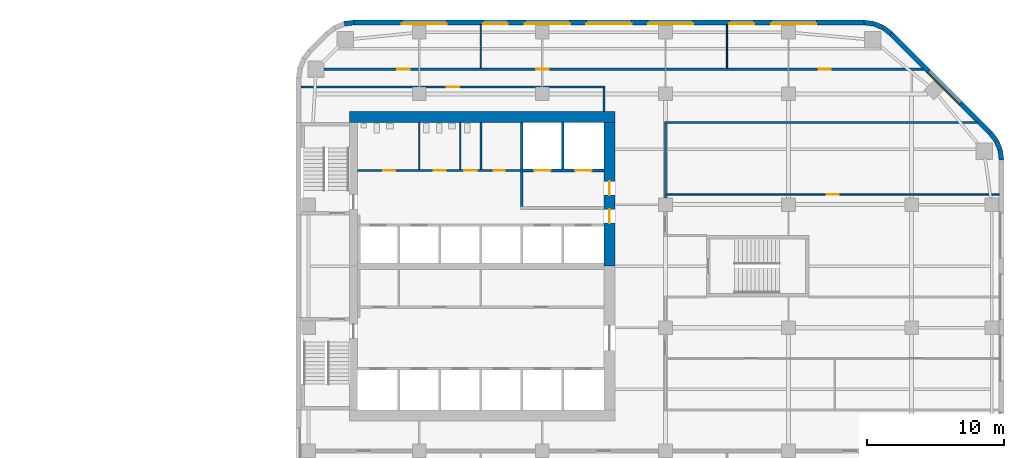
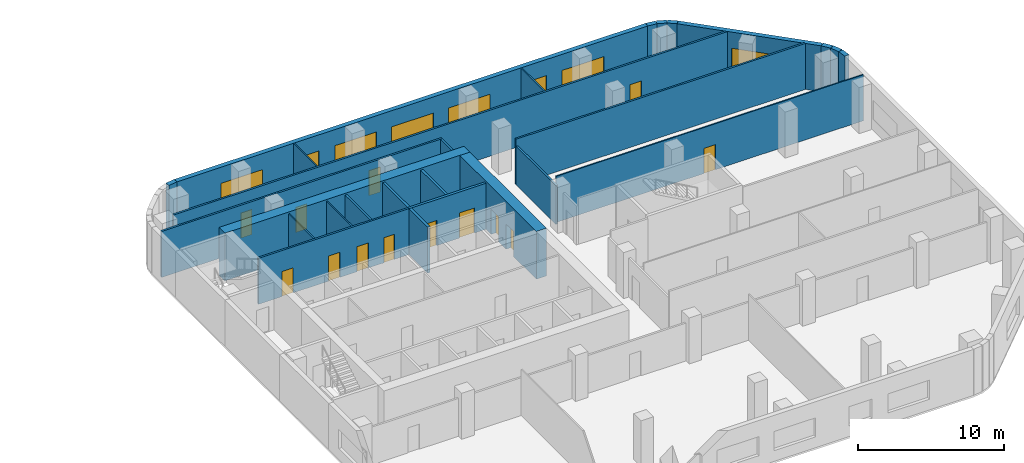
# One storey, part 10 of 14: 27 walls, 13 doors, 8 windows, 21 openings.
"""IFC4 building model written with IfcOpenShell, lengths in metres."""

from ifc_helpers import new_model, si_unit, direction, frame, frame_2d, origin, place, context, subcontext, project, spatial, rectangle, extrude, material, layer, layer_set, type_object, element, fill, save


model = new_model("IFC4")

# Units and contexts
model_context = context("Model", 3, precision=1e-05, world=origin(), true_north=direction((0.0, 1.0)))
body_context = subcontext(model_context, "Body", "Model", "MODEL_VIEW")
ifc_project = project(units=[si_unit("LENGTHUNIT", "METRE"), si_unit("AREAUNIT", "SQUARE_METRE"), si_unit("VOLUMEUNIT", "CUBIC_METRE"), si_unit("PLANEANGLEUNIT", "RADIAN"), si_unit("MASSUNIT", "GRAM", prefix="KILO")], contexts=[model_context])

# Site, building, storey
site_placement = place(None, origin())
site = spatial("IfcSite", under=ifc_project, at=site_placement, CompositionType="ELEMENT")
building_placement = place(site_placement, origin())
building = spatial("IfcBuilding", under=site, at=building_placement, Name="Cinnabar Reach Civic Tower", CompositionType="ELEMENT")
storey_placement = place(building_placement, frame((0.0, 0.0, 132.0)))
storey = spatial("IfcBuildingStorey", under=building, at=storey_placement, Name="L31", CompositionType="ELEMENT", Elevation=132.0)

# Walls
ifc_material_1 = material(Name="Facing brick with insulated backing", Category="masonry")
ifc_layer_1 = layer(ifc_material_1, 0.36)
ifc_layer_set_1 = layer_set([ifc_layer_1], Name="Brick corner wall")
wall_type_1 = type_object("IfcWallType", Name="Brick corner wall", PredefinedType="STANDARD", material=ifc_layer_set_1)
for number, where, z_axis, x_axis, name in (
    (1, (51.567, 39.2686, 0.0), (0.0, 0.0, 1.0), (-0.13055608231, 0.99144092581, 0.0), "Brick corner wall"),
    (2, (51.4681, 39.9973, 0.0), (0.0, 0.0, 1.0), (-0.382702709855, 0.923871547278, 0.0), "Brick corner wall"),
):
    element("IfcWall", number, at=place(storey_placement, frame(where, z_axis=z_axis, x_axis=x_axis)), inside=storey, type_object=wall_type_1, Name=name, PredefinedType="STANDARD", context=body_context, shape_type="SweptSolid", body=[
        extrude(rectangle(XDim=0.7131, YDim=0.36, at=frame_2d((0.3565, 0.0))), origin(), (0.0, 0.0, 1.0), 3.85),
    ])
for number, where, z_axis, x_axis, name in (
    (3, (51.184, 40.6755, 0.0), (0.0, 0.0, 1.0), (-0.608802368033, 0.793321924995, 0.0), "Brick corner wall"),
    (4, (43.4913, 48.4998, 0.0), (0.0, 0.0, 1.0), (-0.793321924995, 0.608802368033, 0.0), "Brick corner wall"),
):
    element("IfcWall", number, at=place(storey_placement, frame(where, z_axis=z_axis, x_axis=x_axis)), inside=storey, type_object=wall_type_1, Name=name, PredefinedType="STANDARD", context=body_context, shape_type="SweptSolid", body=[
        extrude(rectangle(XDim=0.7132, YDim=0.36, at=frame_2d((0.3566, 0.0))), origin(), (0.0, 0.0, 1.0), 3.85),
    ])
for number, where, z_axis, x_axis, name in (
    (5, (42.9061, 48.9452, 0.0), (0.0, 0.0, 1.0), (-0.923871547278, 0.382702709855, 0.0), "Brick corner wall"),
    (6, (42.2256, 49.2239, 0.0), (0.0, 0.0, 1.0), (-0.99144092581, 0.13055608231, 0.0), "Brick corner wall"),
    (7, (4.2314, 49.317, 0.0), (0.0, 0.0, 1.0), (-0.99144092581, -0.13055608231, 0.0), "Brick corner wall"),
):
    element("IfcWall", number, at=place(storey_placement, frame(where, z_axis=z_axis, x_axis=x_axis)), inside=storey, type_object=wall_type_1, Name=name, PredefinedType="STANDARD", context=body_context, shape_type="SweptSolid", body=[
        extrude(rectangle(XDim=0.7131, YDim=0.36, at=frame_2d((0.3565, 0.0))), origin(), (0.0, 0.0, 1.0), 3.85),
    ])

# Wall, opening, window
ifc_layer_2 = layer(ifc_material_1, 0.36)
ifc_layer_set_2 = layer_set([ifc_layer_2], Name="Brick pier and spandrel wall")
wall_type_2 = type_object("IfcWallType", Name="Brick pier and spandrel wall", PredefinedType="STANDARD", material=ifc_layer_set_2)
wall_1_placement = place(storey_placement, frame((50.744, 41.2514, 0.0), z_axis=(0.0, 0.0, 1.0), x_axis=(-0.707106781187, 0.707106781187, 0.0)))
wall_1 = element("IfcWall", 8, at=wall_1_placement, inside=storey, type_object=wall_type_2, Name="Brick facade wall", PredefinedType="STANDARD", context=body_context, shape_type="SweptSolid", body=[
    extrude(rectangle(XDim=10.2426, YDim=0.36, at=frame_2d((5.1213, 0.0))), origin(), (0.0, 0.0, 1.0), 3.85),
])
opening_1_placement = place(wall_1_placement, frame((3.0713, 0.0, 0.9)))
opening_1 = element("IfcOpeningElement", 9, at=opening_1_placement, cuts=wall_1, Name="Opening W1667", PredefinedType="OPENING", context=body_context, shape_type="SweptSolid", body=[
    extrude(rectangle(XDim=3.3, YDim=1.6, at=frame_2d((1.65, 0.8))), frame((0.0, 0.19, 0.0), z_axis=(0.0, -1.0, 0.0), x_axis=(1.0, 0.0, 0.0)), (0.0, 0.0, 1.0), 0.38),
])
ifc_material_2 = material(Name="Clear double glazing in aluminium frame", Category="aluminium")
window_type_1 = type_object("IfcWindowType", Name="Deep-set window A", PartitioningType="SINGLE_PANEL", PredefinedType="WINDOW", material=ifc_material_2)
window_1_placement = place(opening_1_placement, origin())
window_1 = element("IfcWindow", 10, at=window_1_placement, inside=storey, type_object=window_type_1, Name="Window northeast face", OverallHeight=1.6, OverallWidth=3.3, PartitioningType="SINGLE_PANEL", PredefinedType="WINDOW", context=body_context, shape_type="SweptSolid", body=[
    extrude(rectangle(XDim=3.3, YDim=1.6, at=frame_2d((1.65, 0.8))), frame((0.0, 0.13, 0.0), z_axis=(0.0, -1.0, 0.0), x_axis=(1.0, 0.0, 0.0)), (0.0, 0.0, 1.0), 0.06),
])
fill(opening_1, window_1)

# Wall, openings, windows
wall_2_placement = place(storey_placement, frame((41.5074, 49.32, 0.0), z_axis=(0.0, 0.0, 1.0), x_axis=(-1.0, 0.0, 0.0)))
wall_2 = element("IfcWall", 11, at=wall_2_placement, inside=storey, type_object=wall_type_2, Name="Brick facade wall", PredefinedType="STANDARD", context=body_context, shape_type="SweptSolid", body=[
    extrude(rectangle(XDim=37.2648, YDim=0.36, at=frame_2d((18.6324, 0.0))), origin(), (0.0, 0.0, 1.0), 3.85),
])
opening_2_placement = place(wall_2_placement, frame((3.4824, 0.0, 0.9)))
opening_2 = element("IfcOpeningElement", 12, at=opening_2_placement, cuts=wall_2, Name="Opening W1668", PredefinedType="OPENING", context=body_context, shape_type="SweptSolid", body=[
    extrude(rectangle(XDim=3.3, YDim=1.6, at=frame_2d((1.65, 0.8))), frame((0.0, 0.19, 0.0), z_axis=(0.0, -1.0, 0.0), x_axis=(1.0, 0.0, 0.0)), (0.0, 0.0, 1.0), 0.38),
])
opening_3_placement = place(wall_2_placement, frame((8.0324, 0.0, 0.9)))
opening_3 = element("IfcOpeningElement", 13, at=opening_3_placement, cuts=wall_2, Name="Opening W1669", PredefinedType="OPENING", context=body_context, shape_type="SweptSolid", body=[
    extrude(rectangle(XDim=1.8, YDim=1.6, at=frame_2d((0.9, 0.8))), frame((0.0, 0.19, 0.0), z_axis=(0.0, -1.0, 0.0), x_axis=(1.0, 0.0, 0.0)), (0.0, 0.0, 1.0), 0.38),
])
opening_4_placement = place(wall_2_placement, frame((12.4824, 0.0, 0.9)))
opening_4 = element("IfcOpeningElement", 14, at=opening_4_placement, cuts=wall_2, Name="Opening W1670", PredefinedType="OPENING", context=body_context, shape_type="SweptSolid", body=[
    extrude(rectangle(XDim=3.3, YDim=1.6, at=frame_2d((1.65, 0.8))), frame((0.0, 0.19, 0.0), z_axis=(0.0, -1.0, 0.0), x_axis=(1.0, 0.0, 0.0)), (0.0, 0.0, 1.0), 0.38),
])
opening_5_placement = place(wall_2_placement, frame((16.9824, 0.0, 0.9)))
opening_5 = element("IfcOpeningElement", 15, at=opening_5_placement, cuts=wall_2, Name="Opening W1671", PredefinedType="OPENING", context=body_context, shape_type="SweptSolid", body=[
    extrude(rectangle(XDim=3.3, YDim=1.6, at=frame_2d((1.65, 0.8))), frame((0.0, 0.19, 0.0), z_axis=(0.0, -1.0, 0.0), x_axis=(1.0, 0.0, 0.0)), (0.0, 0.0, 1.0), 0.38),
])
opening_6_placement = place(wall_2_placement, frame((21.4824, 0.0, 0.9)))
opening_6 = element("IfcOpeningElement", 16, at=opening_6_placement, cuts=wall_2, Name="Opening W1672", PredefinedType="OPENING", context=body_context, shape_type="SweptSolid", body=[
    extrude(rectangle(XDim=3.3, YDim=1.6, at=frame_2d((1.65, 0.8))), frame((0.0, 0.19, 0.0), z_axis=(0.0, -1.0, 0.0), x_axis=(1.0, 0.0, 0.0)), (0.0, 0.0, 1.0), 0.38),
])
opening_7_placement = place(wall_2_placement, frame((26.0324, 0.0, 0.9)))
opening_7 = element("IfcOpeningElement", 17, at=opening_7_placement, cuts=wall_2, Name="Opening W1673", PredefinedType="OPENING", context=body_context, shape_type="SweptSolid", body=[
    extrude(rectangle(XDim=1.8, YDim=1.6, at=frame_2d((0.9, 0.8))), frame((0.0, 0.19, 0.0), z_axis=(0.0, -1.0, 0.0), x_axis=(1.0, 0.0, 0.0)), (0.0, 0.0, 1.0), 0.38),
])
opening_8_placement = place(wall_2_placement, frame((30.4824, 0.0, 0.9)))
opening_8 = element("IfcOpeningElement", 18, at=opening_8_placement, cuts=wall_2, Name="Opening W1674", PredefinedType="OPENING", context=body_context, shape_type="SweptSolid", body=[
    extrude(rectangle(XDim=3.3, YDim=1.6, at=frame_2d((1.65, 0.8))), frame((0.0, 0.19, 0.0), z_axis=(0.0, -1.0, 0.0), x_axis=(1.0, 0.0, 0.0)), (0.0, 0.0, 1.0), 0.38),
])
window_2_placement = place(opening_2_placement, origin())
window_2 = element("IfcWindow", 19, at=window_2_placement, inside=storey, type_object=window_type_1, Name="Window north face", OverallHeight=1.6, OverallWidth=3.3, PartitioningType="SINGLE_PANEL", PredefinedType="WINDOW", context=body_context, shape_type="SweptSolid", body=[
    extrude(rectangle(XDim=3.3, YDim=1.6, at=frame_2d((1.65, 0.8))), frame((0.0, 0.13, 0.0), z_axis=(0.0, -1.0, 0.0), x_axis=(1.0, 0.0, 0.0)), (0.0, 0.0, 1.0), 0.06),
])
fill(opening_2, window_2)
window_3_placement = place(opening_4_placement, origin())
window_3 = element("IfcWindow", 20, at=window_3_placement, inside=storey, type_object=window_type_1, Name="Window north face", OverallHeight=1.6, OverallWidth=3.3, PartitioningType="SINGLE_PANEL", PredefinedType="WINDOW", context=body_context, shape_type="SweptSolid", body=[
    extrude(rectangle(XDim=3.3, YDim=1.6, at=frame_2d((1.65, 0.8))), frame((0.0, 0.13, 0.0), z_axis=(0.0, -1.0, 0.0), x_axis=(1.0, 0.0, 0.0)), (0.0, 0.0, 1.0), 0.06),
])
fill(opening_4, window_3)
window_4_placement = place(opening_5_placement, origin())
window_4 = element("IfcWindow", 21, at=window_4_placement, inside=storey, type_object=window_type_1, Name="Window north face", OverallHeight=1.6, OverallWidth=3.3, PartitioningType="SINGLE_PANEL", PredefinedType="WINDOW", context=body_context, shape_type="SweptSolid", body=[
    extrude(rectangle(XDim=3.3, YDim=1.6, at=frame_2d((1.65, 0.8))), frame((0.0, 0.13, 0.0), z_axis=(0.0, -1.0, 0.0), x_axis=(1.0, 0.0, 0.0)), (0.0, 0.0, 1.0), 0.06),
])
fill(opening_5, window_4)
window_5_placement = place(opening_6_placement, origin())
window_5 = element("IfcWindow", 22, at=window_5_placement, inside=storey, type_object=window_type_1, Name="Window north face", OverallHeight=1.6, OverallWidth=3.3, PartitioningType="SINGLE_PANEL", PredefinedType="WINDOW", context=body_context, shape_type="SweptSolid", body=[
    extrude(rectangle(XDim=3.3, YDim=1.6, at=frame_2d((1.65, 0.8))), frame((0.0, 0.13, 0.0), z_axis=(0.0, -1.0, 0.0), x_axis=(1.0, 0.0, 0.0)), (0.0, 0.0, 1.0), 0.06),
])
fill(opening_6, window_5)
window_6_placement = place(opening_8_placement, origin())
window_6 = element("IfcWindow", 23, at=window_6_placement, inside=storey, type_object=window_type_1, Name="Window north face", OverallHeight=1.6, OverallWidth=3.3, PartitioningType="SINGLE_PANEL", PredefinedType="WINDOW", context=body_context, shape_type="SweptSolid", body=[
    extrude(rectangle(XDim=3.3, YDim=1.6, at=frame_2d((1.65, 0.8))), frame((0.0, 0.13, 0.0), z_axis=(0.0, -1.0, 0.0), x_axis=(1.0, 0.0, 0.0)), (0.0, 0.0, 1.0), 0.06),
])
fill(opening_8, window_6)
window_type_2 = type_object("IfcWindowType", Name="Deep-set window D", PartitioningType="SINGLE_PANEL", PredefinedType="WINDOW", material=ifc_material_2)
window_7_placement = place(opening_3_placement, origin())
window_7 = element("IfcWindow", 24, at=window_7_placement, inside=storey, type_object=window_type_2, Name="Window north face", OverallHeight=1.6, OverallWidth=1.8, PartitioningType="SINGLE_PANEL", PredefinedType="WINDOW", context=body_context, shape_type="SweptSolid", body=[
    extrude(rectangle(XDim=1.8, YDim=1.6, at=frame_2d((0.9, 0.8))), frame((0.0, 0.13, 0.0), z_axis=(0.0, -1.0, 0.0), x_axis=(1.0, 0.0, 0.0)), (0.0, 0.0, 1.0), 0.06),
])
fill(opening_3, window_7)
window_8_placement = place(opening_7_placement, origin())
window_8 = element("IfcWindow", 25, at=window_8_placement, inside=storey, type_object=window_type_2, Name="Window north face", OverallHeight=1.6, OverallWidth=1.8, PartitioningType="SINGLE_PANEL", PredefinedType="WINDOW", context=body_context, shape_type="SweptSolid", body=[
    extrude(rectangle(XDim=1.8, YDim=1.6, at=frame_2d((0.9, 0.8))), frame((0.0, 0.13, 0.0), z_axis=(0.0, -1.0, 0.0), x_axis=(1.0, 0.0, 0.0)), (0.0, 0.0, 1.0), 0.06),
])
fill(opening_7, window_8)

# Wall
ifc_material_3 = material(Name="Concrete C70", Category="concrete")
ifc_layer_3 = layer(ifc_material_3, 0.8)
ifc_layer_set_3 = layer_set([ifc_layer_3], Name="Core wall 800 EI 180")
wall_type_3 = type_object("IfcWallType", Name="Core wall 800 EI 180", PredefinedType="SOLIDWALL", material=ifc_layer_set_3)
wall_3_placement = place(storey_placement, frame((23.3, 42.4, 0.0), z_axis=(0.0, 0.0, 1.0), x_axis=(-1.0, 0.0, 0.0)))
element("IfcWall", 26, at=wall_3_placement, inside=storey, type_object=wall_type_3, Name="Core wall T1 L31 N", PredefinedType="SOLIDWALL", context=body_context, shape_type="SweptSolid", body=[
    extrude(rectangle(XDim=19.4, YDim=0.8, at=frame_2d((9.7, 0.0))), origin(), (0.0, 0.0, 1.0), 4.0),
])

# Wall, openings, doors
wall_4_placement = place(storey_placement, frame((22.9, 31.5, 0.0), z_axis=(0.0, 0.0, 1.0), x_axis=(0.0, 1.0, 0.0)))
wall_4 = element("IfcWall", 27, at=wall_4_placement, inside=storey, type_object=wall_type_3, Name="Core wall T1 L31 E2", PredefinedType="SOLIDWALL", context=body_context, shape_type="SweptSolid", body=[
    extrude(rectangle(XDim=10.5, YDim=0.8, at=frame_2d((5.25, 0.0))), origin(), (0.0, 0.0, 1.0), 4.0),
])
opening_9_placement = place(wall_4_placement, frame((3.15, 0.0, 0.0)))
opening_9 = element("IfcOpeningElement", 28, at=opening_9_placement, cuts=wall_4, Name="Opening D4269", PredefinedType="OPENING", context=body_context, shape_type="SweptSolid", body=[
    extrude(rectangle(XDim=1.0, YDim=2.1, at=frame_2d((0.5, 1.05))), frame((0.0, 0.41, 0.0), z_axis=(0.0, -1.0, 0.0), x_axis=(1.0, 0.0, 0.0)), (0.0, 0.0, 1.0), 0.82),
])
opening_10_placement = place(wall_4_placement, frame((5.2, 0.0, 0.0)))
opening_10 = element("IfcOpeningElement", 29, at=opening_10_placement, cuts=wall_4, Name="Opening D4270", PredefinedType="OPENING", context=body_context, shape_type="SweptSolid", body=[
    extrude(rectangle(XDim=1.0, YDim=2.1, at=frame_2d((0.5, 1.05))), frame((0.0, 0.41, 0.0), z_axis=(0.0, -1.0, 0.0), x_axis=(1.0, 0.0, 0.0)), (0.0, 0.0, 1.0), 0.82),
])
ifc_material_4 = material(Name="Timber door leaf in steel frame", Category="steel")
door_type_1 = type_object("IfcDoorType", Name="Firefighting lobby door 1000 x 2100 T1", OperationType="SINGLE_SWING_LEFT", PredefinedType="DOOR", material=ifc_material_4)
door_1_placement = place(opening_10_placement, origin())
door_1 = element("IfcDoor", 30, at=door_1_placement, inside=storey, type_object=door_type_1, Name="Door D4270", OperationType="SINGLE_SWING_LEFT", OverallHeight=2.1, OverallWidth=1.0, PredefinedType="DOOR", context=body_context, shape_type="SweptSolid", body=[
    extrude(rectangle(XDim=1.0, YDim=2.1, at=frame_2d((0.5, 1.05))), frame((0.0, 0.025, 0.0), z_axis=(0.0, -1.0, 0.0), x_axis=(1.0, 0.0, 0.0)), (0.0, 0.0, 1.0), 0.05),
])
fill(opening_10, door_1)
door_type_2 = type_object("IfcDoorType", Name="Single swing door 1000 x 2100 T1", OperationType="SINGLE_SWING_LEFT", PredefinedType="DOOR", material=ifc_material_4)
door_2_placement = place(opening_9_placement, origin())
door_2 = element("IfcDoor", 31, at=door_2_placement, inside=storey, type_object=door_type_2, Name="Door D4269", OperationType="SINGLE_SWING_RIGHT", OverallHeight=2.1, OverallWidth=1.0, PredefinedType="DOOR", context=body_context, shape_type="SweptSolid", body=[
    extrude(rectangle(XDim=1.0, YDim=2.1, at=frame_2d((0.5, 1.05))), frame((0.0, 0.025, 0.0), z_axis=(0.0, -1.0, 0.0), x_axis=(1.0, 0.0, 0.0)), (0.0, 0.0, 1.0), 0.05),
])
fill(opening_9, door_2)

ifc_material_5 = material(Name="Gypsum board on steel studs, double layer", Category="steel")
ifc_layer_4 = layer(ifc_material_5, 0.15)
ifc_layer_set_4 = layer_set([ifc_layer_4], Name="Corridor wall 150 T1")
wall_type_4 = type_object("IfcWallType", Name="Corridor wall 150 T1", PredefinedType="PARTITIONING", material=ifc_layer_set_4)
wall_5_placement = place(storey_placement, frame((2.0531, 45.9, 0.0), z_axis=(0.0, 0.0, 1.0), x_axis=(1.0, 0.0, 0.0)))
wall_5 = element("IfcWall", 32, at=wall_5_placement, inside=storey, type_object=wall_type_4, Name="Corridor wall 25", PredefinedType="PARTITIONING", context=body_context, shape_type="SweptSolid", body=[
    extrude(rectangle(XDim=43.8628, YDim=0.15, at=frame_2d((21.9314, 0.0))), origin(), (0.0, 0.0, 1.0), 3.85),
])
opening_11_placement = place(wall_5_placement, frame((5.35, 0.0, 0.0)))
opening_11 = element("IfcOpeningElement", 33, at=opening_11_placement, cuts=wall_5, Name="Opening D4287", PredefinedType="OPENING", context=body_context, shape_type="SweptSolid", body=[
    extrude(rectangle(XDim=0.9, YDim=2.1, at=frame_2d((0.45, 1.05))), frame((0.0, 0.085, 0.0), z_axis=(0.0, -1.0, 0.0), x_axis=(1.0, 0.0, 0.0)), (0.0, 0.0, 1.0), 0.17),
])
opening_12_placement = place(wall_5_placement, frame((15.4969, 0.0, 0.0)))
opening_12 = element("IfcOpeningElement", 34, at=opening_12_placement, cuts=wall_5, Name="Opening D4288", PredefinedType="OPENING", context=body_context, shape_type="SweptSolid", body=[
    extrude(rectangle(XDim=0.9, YDim=2.1, at=frame_2d((0.45, 1.05))), frame((0.0, 0.085, 0.0), z_axis=(0.0, -1.0, 0.0), x_axis=(1.0, 0.0, 0.0)), (0.0, 0.0, 1.0), 0.17),
])
opening_13_placement = place(wall_5_placement, frame((36.1469, 0.0, 0.0)))
opening_13 = element("IfcOpeningElement", 35, at=opening_13_placement, cuts=wall_5, Name="Opening D4289", PredefinedType="OPENING", context=body_context, shape_type="SweptSolid", body=[
    extrude(rectangle(XDim=0.9, YDim=2.1, at=frame_2d((0.45, 1.05))), frame((0.0, 0.085, 0.0), z_axis=(0.0, -1.0, 0.0), x_axis=(1.0, 0.0, 0.0)), (0.0, 0.0, 1.0), 0.17),
])
door_type_3 = type_object("IfcDoorType", Name="Single swing door 900 x 2100 corridor T1", OperationType="SINGLE_SWING_LEFT", PredefinedType="DOOR", material=ifc_material_4)
door_3_placement = place(opening_11_placement, origin())
door_3 = element("IfcDoor", 36, at=door_3_placement, inside=storey, type_object=door_type_3, Name="Door D4287", OperationType="SINGLE_SWING_LEFT", OverallHeight=2.1, OverallWidth=0.9, PredefinedType="DOOR", context=body_context, shape_type="SweptSolid", body=[
    extrude(rectangle(XDim=0.9, YDim=2.1, at=frame_2d((0.45, 1.05))), frame((0.0, 0.025, 0.0), z_axis=(0.0, -1.0, 0.0), x_axis=(1.0, 0.0, 0.0)), (0.0, 0.0, 1.0), 0.05),
])
fill(opening_11, door_3)
door_4_placement = place(opening_12_placement, origin())
door_4 = element("IfcDoor", 37, at=door_4_placement, inside=storey, type_object=door_type_3, Name="Door D4288", OperationType="SINGLE_SWING_LEFT", OverallHeight=2.1, OverallWidth=0.9, PredefinedType="DOOR", context=body_context, shape_type="SweptSolid", body=[
    extrude(rectangle(XDim=0.9, YDim=2.1, at=frame_2d((0.45, 1.05))), frame((0.0, 0.025, 0.0), z_axis=(0.0, -1.0, 0.0), x_axis=(1.0, 0.0, 0.0)), (0.0, 0.0, 1.0), 0.05),
])
fill(opening_12, door_4)
door_5_placement = place(opening_13_placement, origin())
door_5 = element("IfcDoor", 38, at=door_5_placement, inside=storey, type_object=door_type_3, Name="Door D4289", OperationType="SINGLE_SWING_LEFT", OverallHeight=2.1, OverallWidth=0.9, PredefinedType="DOOR", context=body_context, shape_type="SweptSolid", body=[
    extrude(rectangle(XDim=0.9, YDim=2.1, at=frame_2d((0.45, 1.05))), frame((0.0, 0.025, 0.0), z_axis=(0.0, -1.0, 0.0), x_axis=(1.0, 0.0, 0.0)), (0.0, 0.0, 1.0), 0.05),
])
fill(opening_13, door_5)

# Wall
wall_6_placement = place(storey_placement, frame((26.925, 42.0, 0.0), z_axis=(0.0, 0.0, 1.0), x_axis=(1.0, 0.0, 0.0)))
element("IfcWall", 39, at=wall_6_placement, inside=storey, type_object=wall_type_4, Name="Corridor wall 27", PredefinedType="PARTITIONING", context=body_context, shape_type="SweptSolid", body=[
    extrude(rectangle(XDim=22.8909, YDim=0.15, at=frame_2d((11.4454, 0.0))), origin(), (0.0, 0.0, 1.0), 3.85),
])

# Wall, opening, door
wall_7_placement = place(storey_placement, frame((0.36, 44.6, 0.0), z_axis=(0.0, 0.0, 1.0), x_axis=(1.0, 0.0, 0.0)))
wall_7 = element("IfcWall", 40, at=wall_7_placement, inside=storey, type_object=wall_type_4, Name="Corridor wall 28", PredefinedType="PARTITIONING", context=body_context, shape_type="SweptSolid", body=[
    extrude(rectangle(XDim=22.215, YDim=0.15, at=frame_2d((11.1075, 0.0))), origin(), (0.0, 0.0, 1.0), 3.85),
])
opening_14_placement = place(wall_7_placement, frame((10.65, 0.0, 0.0)))
opening_14 = element("IfcOpeningElement", 41, at=opening_14_placement, cuts=wall_7, Name="Opening D5790", PredefinedType="OPENING", context=body_context, shape_type="SweptSolid", body=[
    extrude(rectangle(XDim=0.9, YDim=2.1, at=frame_2d((0.45, 1.05))), frame((0.0, 0.085, 0.0), z_axis=(0.0, -1.0, 0.0), x_axis=(1.0, 0.0, 0.0)), (0.0, 0.0, 1.0), 0.17),
])
door_6_placement = place(opening_14_placement, frame((0.9, 0.0, 0.0), z_axis=(0.0, 0.0, 1.0), x_axis=(-1.0, 0.0, 0.0)))
door_6 = element("IfcDoor", 42, at=door_6_placement, inside=storey, type_object=door_type_3, Name="Door D5790", OperationType="SINGLE_SWING_RIGHT", OverallHeight=2.1, OverallWidth=0.9, PredefinedType="DOOR", context=body_context, shape_type="SweptSolid", body=[
    extrude(rectangle(XDim=0.9, YDim=2.1, at=frame_2d((0.45, 1.05))), frame((0.0, 0.025, 0.0), z_axis=(0.0, -1.0, 0.0), x_axis=(1.0, 0.0, 0.0)), (0.0, 0.0, 1.0), 0.05),
])
fill(opening_14, door_6)

# Wall, openings, doors
wall_8_placement = place(storey_placement, frame((4.5, 38.5, 0.0), z_axis=(0.0, 0.0, 1.0), x_axis=(1.0, 0.0, 0.0)))
wall_8 = element("IfcWall", 43, at=wall_8_placement, inside=storey, type_object=wall_type_4, Name="Corridor wall 30", PredefinedType="PARTITIONING", context=body_context, shape_type="SweptSolid", body=[
    extrude(rectangle(XDim=11.9, YDim=0.15, at=frame_2d((5.95, 0.0))), origin(), (0.0, 0.0, 1.0), 3.85),
])
opening_15_placement = place(wall_8_placement, frame((1.85, 0.0, 0.0)))
opening_15 = element("IfcOpeningElement", 44, at=opening_15_placement, cuts=wall_8, Name="Opening D4275", PredefinedType="OPENING", context=body_context, shape_type="SweptSolid", body=[
    extrude(rectangle(XDim=0.9, YDim=2.1, at=frame_2d((0.45, 1.05))), frame((0.0, 0.085, 0.0), z_axis=(0.0, -1.0, 0.0), x_axis=(1.0, 0.0, 0.0)), (0.0, 0.0, 1.0), 0.17),
])
opening_16_placement = place(wall_8_placement, frame((5.55, 0.0, 0.0)))
opening_16 = element("IfcOpeningElement", 45, at=opening_16_placement, cuts=wall_8, Name="Opening D4276", PredefinedType="OPENING", context=body_context, shape_type="SweptSolid", body=[
    extrude(rectangle(XDim=0.9, YDim=2.1, at=frame_2d((0.45, 1.05))), frame((0.0, 0.085, 0.0), z_axis=(0.0, -1.0, 0.0), x_axis=(1.0, 0.0, 0.0)), (0.0, 0.0, 1.0), 0.17),
])
opening_17_placement = place(wall_8_placement, frame((7.8, 0.0, 0.0)))
opening_17 = element("IfcOpeningElement", 46, at=opening_17_placement, cuts=wall_8, Name="Opening D4277", PredefinedType="OPENING", context=body_context, shape_type="SweptSolid", body=[
    extrude(rectangle(XDim=0.9, YDim=2.1, at=frame_2d((0.45, 1.05))), frame((0.0, 0.085, 0.0), z_axis=(0.0, -1.0, 0.0), x_axis=(1.0, 0.0, 0.0)), (0.0, 0.0, 1.0), 0.17),
])
opening_18_placement = place(wall_8_placement, frame((9.95, 0.0, 0.0)))
opening_18 = element("IfcOpeningElement", 47, at=opening_18_placement, cuts=wall_8, Name="Opening D4278", PredefinedType="OPENING", context=body_context, shape_type="SweptSolid", body=[
    extrude(rectangle(XDim=0.8, YDim=2.1, at=frame_2d((0.4, 1.05))), frame((0.0, 0.085, 0.0), z_axis=(0.0, -1.0, 0.0), x_axis=(1.0, 0.0, 0.0)), (0.0, 0.0, 1.0), 0.17),
])
door_type_4 = type_object("IfcDoorType", Name="Riser access door 800 x 2100 T1", OperationType="SINGLE_SWING_LEFT", PredefinedType="DOOR", material=ifc_material_4)
door_7_placement = place(opening_18_placement, origin())
door_7 = element("IfcDoor", 48, at=door_7_placement, inside=storey, type_object=door_type_4, Name="Door D4278", OperationType="SINGLE_SWING_RIGHT", OverallHeight=2.1, OverallWidth=0.8, PredefinedType="DOOR", context=body_context, shape_type="SweptSolid", body=[
    extrude(rectangle(XDim=0.8, YDim=2.1, at=frame_2d((0.4, 1.05))), frame((0.0, 0.025, 0.0), z_axis=(0.0, -1.0, 0.0), x_axis=(1.0, 0.0, 0.0)), (0.0, 0.0, 1.0), 0.05),
])
fill(opening_18, door_7)
door_8_placement = place(opening_15_placement, origin())
door_8 = element("IfcDoor", 49, at=door_8_placement, inside=storey, type_object=door_type_3, Name="Door D4275", OperationType="SINGLE_SWING_RIGHT", OverallHeight=2.1, OverallWidth=0.9, PredefinedType="DOOR", context=body_context, shape_type="SweptSolid", body=[
    extrude(rectangle(XDim=0.9, YDim=2.1, at=frame_2d((0.45, 1.05))), frame((0.0, 0.025, 0.0), z_axis=(0.0, -1.0, 0.0), x_axis=(1.0, 0.0, 0.0)), (0.0, 0.0, 1.0), 0.05),
])
fill(opening_15, door_8)
door_9_placement = place(opening_16_placement, origin())
door_9 = element("IfcDoor", 50, at=door_9_placement, inside=storey, type_object=door_type_3, Name="Door D4276", OperationType="SINGLE_SWING_RIGHT", OverallHeight=2.1, OverallWidth=0.9, PredefinedType="DOOR", context=body_context, shape_type="SweptSolid", body=[
    extrude(rectangle(XDim=0.9, YDim=2.1, at=frame_2d((0.45, 1.05))), frame((0.0, 0.025, 0.0), z_axis=(0.0, -1.0, 0.0), x_axis=(1.0, 0.0, 0.0)), (0.0, 0.0, 1.0), 0.05),
])
fill(opening_16, door_9)
door_10_placement = place(opening_17_placement, origin())
door_10 = element("IfcDoor", 51, at=door_10_placement, inside=storey, type_object=door_type_3, Name="Door D4277", OperationType="SINGLE_SWING_RIGHT", OverallHeight=2.1, OverallWidth=0.9, PredefinedType="DOOR", context=body_context, shape_type="SweptSolid", body=[
    extrude(rectangle(XDim=0.9, YDim=2.1, at=frame_2d((0.45, 1.05))), frame((0.0, 0.025, 0.0), z_axis=(0.0, -1.0, 0.0), x_axis=(1.0, 0.0, 0.0)), (0.0, 0.0, 1.0), 0.05),
])
fill(opening_17, door_10)

# Walls
wall_9_placement = place(storey_placement, frame((27.0, 36.5, 0.0), z_axis=(0.0, 0.0, 1.0), x_axis=(0.0, 1.0, 0.0)))
element("IfcWall", 52, at=wall_9_placement, inside=storey, type_object=wall_type_4, Name="Corridor wall 34", PredefinedType="PARTITIONING", context=body_context, shape_type="SweptSolid", body=[
    extrude(rectangle(XDim=5.425, YDim=0.15, at=frame_2d((2.7125, 0.0))), origin(), (0.0, 0.0, 1.0), 3.256),
])
wall_10_placement = place(storey_placement, frame((22.5, 42.8, 0.0), z_axis=(0.0, 0.0, 1.0), x_axis=(0.0, 1.0, 0.0)))
element("IfcWall", 53, at=wall_10_placement, inside=storey, type_object=wall_type_4, Name="Corridor wall 39", PredefinedType="PARTITIONING", context=body_context, shape_type="SweptSolid", body=[
    extrude(rectangle(XDim=1.725, YDim=0.15, at=frame_2d((0.8625, 0.0))), origin(), (0.0, 0.0, 1.0), 3.85),
])
ifc_material_6 = material(Name="Blockwork", Category="masonry")
ifc_layer_5 = layer(ifc_material_6, 0.2)
ifc_layer_set_5 = layer_set([ifc_layer_5], Name="Lift shaft wall 200 T1")
wall_type_5 = type_object("IfcWallType", Name="Lift shaft wall 200 T1", PredefinedType="PARTITIONING", material=ifc_layer_set_5)
for number, where, z_axis, x_axis, name in (
    (54, (16.5, 38.6, 0.0), (0.0, 0.0, 1.0), (0.0, 1.0, 0.0), "Lift shaft wall 6"),
    (55, (19.5, 38.6, 0.0), (0.0, 0.0, 1.0), (0.0, 1.0, 0.0), "Lift shaft wall 7"),
):
    element("IfcWall", number, at=place(storey_placement, frame(where, z_axis=z_axis, x_axis=x_axis)), inside=storey, type_object=wall_type_5, Name=name, PredefinedType="PARTITIONING", context=body_context, shape_type="SweptSolid", body=[
        extrude(rectangle(XDim=3.4, YDim=0.2, at=frame_2d((1.7, 0.0))), origin(), (0.0, 0.0, 1.0), 3.85),
    ])

# Wall, opening, door
ifc_material_7 = material(Name="Gypsum board on steel studs", Category="steel")
ifc_layer_6 = layer(ifc_material_7, 0.1)
ifc_layer_set_6 = layer_set([ifc_layer_6], Name="Partition wall 100 T1")
wall_type_6 = type_object("IfcWallType", Name="Partition wall 100 T1", PredefinedType="PARTITIONING", material=ifc_layer_set_6)
wall_11_placement = place(storey_placement, frame((27.075, 36.75, 0.0), z_axis=(0.0, 0.0, 1.0), x_axis=(1.0, 0.0, 0.0)))
wall_11 = element("IfcWall", 56, at=wall_11_placement, inside=storey, type_object=wall_type_6, Name="Partition wall 44", PredefinedType="PARTITIONING", context=body_context, shape_type="SweptSolid", body=[
    extrude(rectangle(XDim=24.315, YDim=0.1, at=frame_2d((12.1575, 0.0))), origin(), (0.0, 0.0, 1.0), 3.85),
])
opening_19_placement = place(wall_11_placement, frame((11.7, 0.0, 0.0)))
opening_19 = element("IfcOpeningElement", 57, at=opening_19_placement, cuts=wall_11, Name="Opening D4280", PredefinedType="OPENING", context=body_context, shape_type="SweptSolid", body=[
    extrude(rectangle(XDim=0.9, YDim=2.1, at=frame_2d((0.45, 1.05))), frame((0.0, 0.06, 0.0), z_axis=(0.0, -1.0, 0.0), x_axis=(1.0, 0.0, 0.0)), (0.0, 0.0, 1.0), 0.12),
])
door_type_5 = type_object("IfcDoorType", Name="Single swing door 900 x 2100 T1", OperationType="SINGLE_SWING_LEFT", PredefinedType="DOOR", material=ifc_material_4)
door_11_placement = place(opening_19_placement, origin())
door_11 = element("IfcDoor", 58, at=door_11_placement, inside=storey, type_object=door_type_5, Name="Door D4280", OperationType="SINGLE_SWING_LEFT", OverallHeight=2.1, OverallWidth=0.9, PredefinedType="DOOR", context=body_context, shape_type="SweptSolid", body=[
    extrude(rectangle(XDim=0.9, YDim=2.1, at=frame_2d((0.45, 1.05))), frame((0.0, 0.025, 0.0), z_axis=(0.0, -1.0, 0.0), x_axis=(1.0, 0.0, 0.0)), (0.0, 0.0, 1.0), 0.05),
])
fill(opening_19, door_11)

# Walls
for number, where, z_axis, x_axis, name in (
    (59, (9.0, 38.575, 0.0), (0.0, 0.0, 1.0), (0.0, 1.0, 0.0), "Partition wall 48"),
    (60, (12.0, 38.575, 0.0), (0.0, 0.0, 1.0), (0.0, 1.0, 0.0), "Partition wall 49"),
):
    element("IfcWall", number, at=place(storey_placement, frame(where, z_axis=z_axis, x_axis=x_axis)), inside=storey, type_object=wall_type_6, Name=name, PredefinedType="PARTITIONING", context=body_context, shape_type="SweptSolid", body=[
        extrude(rectangle(XDim=3.425, YDim=0.1, at=frame_2d((1.7125, 0.0))), origin(), (0.0, 0.0, 1.0), 3.85),
    ])
for number, where, z_axis, x_axis, name in (
    (61, (13.5, 45.975, 0.0), (0.0, 0.0, 1.0), (0.0, 1.0, 0.0), "Partition wall 50"),
    (62, (31.5, 45.975, 0.0), (0.0, 0.0, 1.0), (0.0, 1.0, 0.0), "Partition wall 51"),
):
    element("IfcWall", number, at=place(storey_placement, frame(where, z_axis=z_axis, x_axis=x_axis)), inside=storey, type_object=wall_type_6, Name=name, PredefinedType="PARTITIONING", context=body_context, shape_type="SweptSolid", body=[
        extrude(rectangle(XDim=3.165, YDim=0.1, at=frame_2d((1.5825, 0.0))), origin(), (0.0, 0.0, 1.0), 3.85),
    ])

# Wall, openings, doors
ifc_material_8 = material(Name="Concrete C40", Category="concrete")
ifc_layer_7 = layer(ifc_material_8, 0.2)
ifc_layer_set_7 = layer_set([ifc_layer_7], Name="Refuge compartment wall 200 T1")
wall_type_7 = type_object("IfcWallType", Name="Refuge compartment wall 200 T1", PredefinedType="PARTITIONING", material=ifc_layer_set_7)
wall_12_placement = place(storey_placement, frame((16.4, 38.5, 0.0), z_axis=(0.0, 0.0, 1.0), x_axis=(1.0, 0.0, 0.0)))
wall_12 = element("IfcWall", 63, at=wall_12_placement, inside=storey, type_object=wall_type_7, Name="Refuge compartment wall 2", PredefinedType="PARTITIONING", context=body_context, shape_type="SweptSolid", body=[
    extrude(rectangle(XDim=6.1, YDim=0.2, at=frame_2d((3.05, 0.0))), origin(), (0.0, 0.0, 1.0), 3.85),
])
opening_20_placement = place(wall_12_placement, frame((1.0, 0.0, 0.0)))
opening_20 = element("IfcOpeningElement", 64, at=opening_20_placement, cuts=wall_12, Name="Opening D4266", PredefinedType="OPENING", context=body_context, shape_type="SweptSolid", body=[
    extrude(rectangle(XDim=1.2, YDim=2.1, at=frame_2d((0.6, 1.05))), frame((0.0, 0.11, 0.0), z_axis=(0.0, -1.0, 0.0), x_axis=(1.0, 0.0, 0.0)), (0.0, 0.0, 1.0), 0.22),
])
opening_21_placement = place(wall_12_placement, frame((4.0, 0.0, 0.0)))
opening_21 = element("IfcOpeningElement", 65, at=opening_21_placement, cuts=wall_12, Name="Opening D4267", PredefinedType="OPENING", context=body_context, shape_type="SweptSolid", body=[
    extrude(rectangle(XDim=1.2, YDim=2.1, at=frame_2d((0.6, 1.05))), frame((0.0, 0.11, 0.0), z_axis=(0.0, -1.0, 0.0), x_axis=(1.0, 0.0, 0.0)), (0.0, 0.0, 1.0), 0.22),
])
ifc_material_9 = material(Name="Stainless steel sliding door", Category="steel")
door_type_6 = type_object("IfcDoorType", Name="Firefighting lift landing door 1200 x 2100 T1", OperationType="SLIDING_TO_LEFT", PredefinedType="DOOR", material=ifc_material_9)
door_12_placement = place(opening_20_placement, origin())
door_12 = element("IfcDoor", 66, at=door_12_placement, inside=storey, type_object=door_type_6, Name="Lift landing door FF1 L31", OperationType="SLIDING_TO_LEFT", OverallHeight=2.1, OverallWidth=1.2, PredefinedType="DOOR", context=body_context, shape_type="SweptSolid", body=[
    extrude(rectangle(XDim=1.2, YDim=2.1, at=frame_2d((0.6, 1.05))), frame((0.0, 0.025, 0.0), z_axis=(0.0, -1.0, 0.0), x_axis=(1.0, 0.0, 0.0)), (0.0, 0.0, 1.0), 0.05),
])
fill(opening_20, door_12)
door_13_placement = place(opening_21_placement, origin())
door_13 = element("IfcDoor", 67, at=door_13_placement, inside=storey, type_object=door_type_6, Name="Lift landing door FF2 L31", OperationType="SLIDING_TO_LEFT", OverallHeight=2.1, OverallWidth=1.2, PredefinedType="DOOR", context=body_context, shape_type="SweptSolid", body=[
    extrude(rectangle(XDim=1.2, YDim=2.1, at=frame_2d((0.6, 1.05))), frame((0.0, 0.025, 0.0), z_axis=(0.0, -1.0, 0.0), x_axis=(1.0, 0.0, 0.0)), (0.0, 0.0, 1.0), 0.05),
])
fill(opening_21, door_13)

# Walls
wall_13_placement = place(storey_placement, frame((16.5, 35.85, 0.0), z_axis=(0.0, 0.0, 1.0), x_axis=(0.0, 1.0, 0.0)))
element("IfcWall", 68, at=wall_13_placement, inside=storey, type_object=wall_type_7, Name="Refuge compartment wall 3", PredefinedType="PARTITIONING", context=body_context, shape_type="SweptSolid", body=[
    extrude(rectangle(XDim=2.55, YDim=0.2, at=frame_2d((1.275, 0.0))), origin(), (0.0, 0.0, 1.0), 3.85),
])
ifc_layer_8 = layer(ifc_material_6, 0.15)
ifc_layer_set_8 = layer_set([ifc_layer_8], Name="Riser wall 150 T1")
wall_type_8 = type_object("IfcWallType", Name="Riser wall 150 T1", PredefinedType="PARTITIONING", material=ifc_layer_set_8)
wall_14_placement = place(storey_placement, frame((13.5, 38.575, 0.0), z_axis=(0.0, 0.0, 1.0), x_axis=(0.0, 1.0, 0.0)))
element("IfcWall", 69, at=wall_14_placement, inside=storey, type_object=wall_type_8, Name="Riser wall 41", PredefinedType="PARTITIONING", context=body_context, shape_type="SweptSolid", body=[
    extrude(rectangle(XDim=3.425, YDim=0.15, at=frame_2d((1.7125, 0.0))), origin(), (0.0, 0.0, 1.0), 3.85),
])

save(model, "model.ifc")
